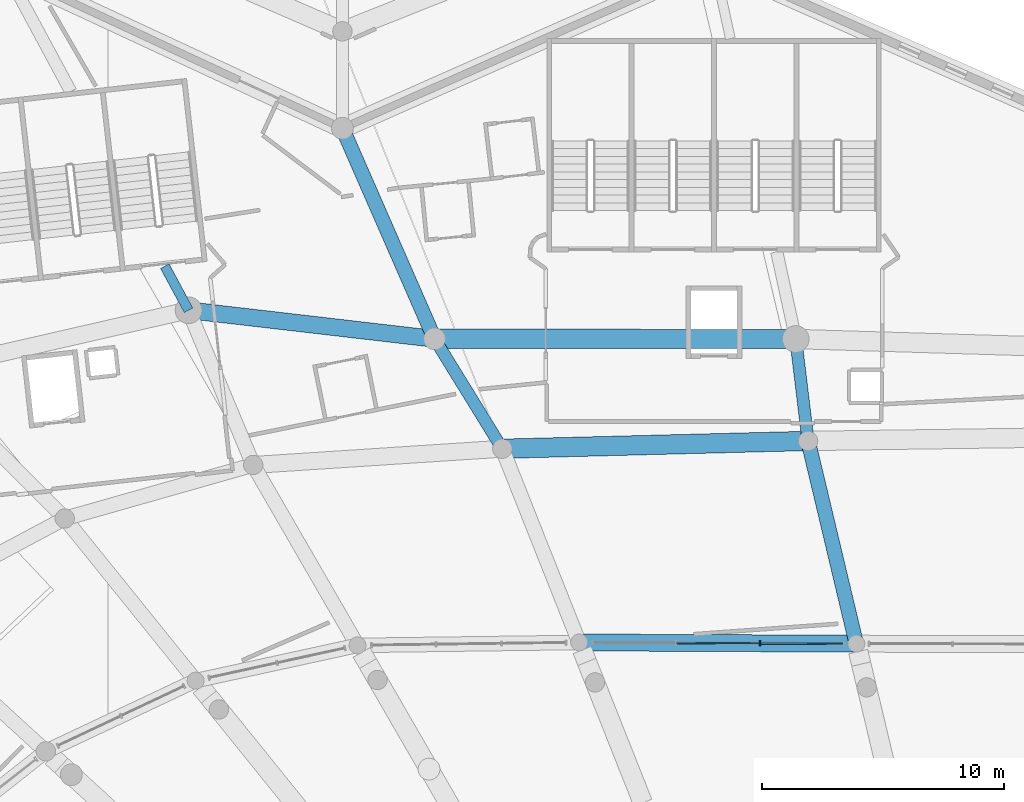
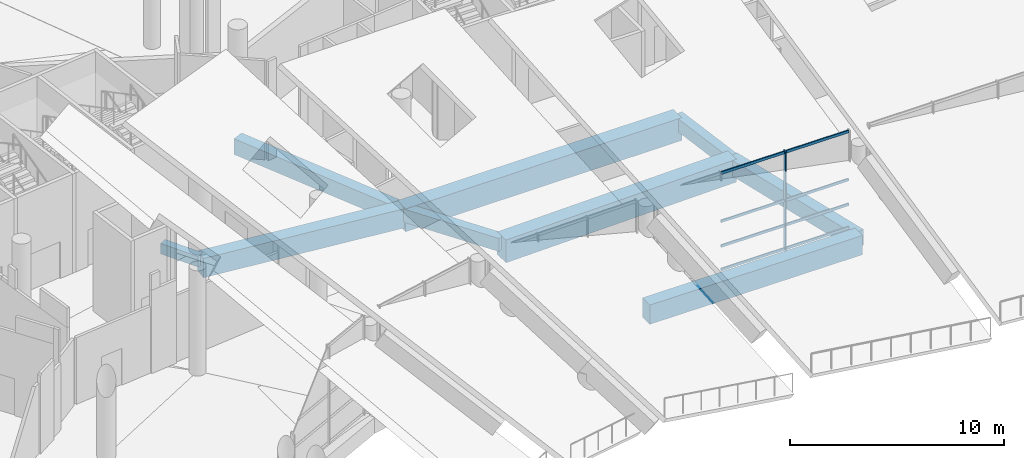
# One storey, part 68 of 249: 9 beams, 9 members, 1 element without a shape of its own.
"""IFC4 building model written with IfcOpenShell, lengths in metres."""

from ifc_helpers import new_model, si_unit, direction, frame, origin, origin_2d, place, context, subcontext, project, spatial, rectangle, extrude, material, layer, layer_set, material_profile, profile_set, type_object, element, aggregate, save


model = new_model("IFC4")

# Units and contexts
model_context = context("Model", 3, precision=1e-05, world=origin(), true_north=direction((0.0, 1.0)))
body_context = subcontext(model_context, "Body", "Model", "MODEL_VIEW")
ifc_project = project(units=[si_unit("LENGTHUNIT", "METRE"), si_unit("AREAUNIT", "SQUARE_METRE"), si_unit("VOLUMEUNIT", "CUBIC_METRE"), si_unit("PLANEANGLEUNIT", "RADIAN"), si_unit("MASSUNIT", "GRAM", prefix="KILO")], contexts=[model_context])

# Site, building, storey
site_placement = place(None, origin())
site = spatial("IfcSite", under=ifc_project, at=site_placement, CompositionType="ELEMENT")
building_placement = place(site_placement, origin())
building = spatial("IfcBuilding", under=site, at=building_placement, Name="Meseta Stadium", CompositionType="ELEMENT")
storey_placement = place(building_placement, frame((0.0, 0.0, 12.0)))
storey = spatial("IfcBuildingStorey", under=building, at=storey_placement, Name="L02", CompositionType="ELEMENT", Elevation=12.0)

# Curtain wall, members
ifc_material_1 = material(Name="Aluminium", Category="aluminium")
ifc_layer = layer(ifc_material_1, 0.199951171875)
ifc_layer_set = layer_set([ifc_layer], Name="Suite glazing curtain wall")
curtain_wall_type = type_object("IfcCurtainWallType", Name="Suite glazing curtain wall", PredefinedType="NOTDEFINED", material=ifc_layer_set)
curtain_wall_placement = place(storey_placement, origin())
curtain_wall = element("IfcCurtainWall", 1, at=curtain_wall_placement, inside=storey, type_object=curtain_wall_type, Name="Suite glazing bay 20", PredefinedType="NOTDEFINED")
ifc_material_2 = material(Name="Aluminium", Category="aluminium")
ifc_material_profile_1 = material_profile(ifc_material_2, rectangle(XDim=0.199951171875, YDim=0.06005859375, at=origin_2d()), Name="CW 200x60")
ifc_profile_set_1 = profile_set([ifc_material_profile_1], Name="Aluminium")
member_type_1 = type_object("IfcMemberType", Name="CW mullion 60x200", PredefinedType="MULLION", material=ifc_profile_set_1)
member_1_placement = place(storey_placement, frame((-21.095947265625, 77.349853515625, 0.0), z_axis=(0.0, 0.0, 1.0), x_axis=(-0.004468565348, -0.999990015912, 0.0)))
member_1 = element("IfcMember", 2, at=member_1_placement, type_object=member_type_1, Name="CWS mullion 2", PredefinedType="MULLION", context=body_context, shape_type="SweptSolid", body=[
    extrude(rectangle(XDim=0.199951171875, YDim=0.06005859375, at=origin_2d()), origin(), (0.0, 0.0, 1.0), 5.64990234375),
])
ifc_material_3 = material(Name="Aluminium", Category="aluminium")
ifc_material_profile_2 = material_profile(ifc_material_3, rectangle(XDim=0.06005859375, YDim=0.14990234375, at=origin_2d()), Name="CW 60x150")
ifc_profile_set_2 = profile_set([ifc_material_profile_2], Name="Aluminium")
member_type_2 = type_object("IfcMemberType", Name="CW transom 60x150", PredefinedType="USERDEFINED", material=ifc_profile_set_2)
member_2_placement = place(storey_placement, frame((-17.679443359375, 77.33447265625, 0.074951171875), z_axis=(-0.999990010786, 0.004469712398, 0.0), x_axis=(-0.004469712398, -0.999990010786, 0.0)))
member_2 = element("IfcMember", 3, at=member_2_placement, type_object=member_type_2, Name="CWS transom 1.1", ObjectType="TRANSOM", PredefinedType="USERDEFINED", context=body_context, shape_type="SweptSolid", body=[
    extrude(rectangle(XDim=0.06005859375, YDim=0.14990234375, at=origin_2d()), origin(), (0.0, 0.0, 1.0), 3.386474609375),
])
member_3_placement = place(storey_placement, frame((-17.679443359375, 77.33447265625, 1.41259765625), z_axis=(-0.999990010786, 0.004469712398, 0.0), x_axis=(-0.004469712398, -0.999990010786, 0.0)))
member_3 = element("IfcMember", 4, at=member_3_placement, type_object=member_type_2, Name="CWS transom 1.2", ObjectType="TRANSOM", PredefinedType="USERDEFINED", context=body_context, shape_type="SweptSolid", body=[
    extrude(rectangle(XDim=0.06005859375, YDim=0.14990234375, at=origin_2d()), origin(), (0.0, 0.0, 1.0), 3.386474609375),
])
member_4_placement = place(storey_placement, frame((-17.679443359375, 77.33447265625, 2.824951171875), z_axis=(-0.999990010786, 0.004469712398, 0.0), x_axis=(-0.004469712398, -0.999990010786, 0.0)))
member_4 = element("IfcMember", 5, at=member_4_placement, type_object=member_type_2, Name="CWS transom 1.3", ObjectType="TRANSOM", PredefinedType="USERDEFINED", context=body_context, shape_type="SweptSolid", body=[
    extrude(rectangle(XDim=0.06005859375, YDim=0.14990234375, at=origin_2d()), origin(), (0.0, 0.0, 1.0), 3.386474609375),
])
member_5_placement = place(storey_placement, frame((-17.679443359375, 77.33447265625, 5.574951171875), z_axis=(-0.999990010786, 0.004469712398, 0.0), x_axis=(-0.004469712398, -0.999990010786, 0.0)))
member_5 = element("IfcMember", 6, at=member_5_placement, type_object=member_type_2, Name="CWS transom 1.4", ObjectType="TRANSOM", PredefinedType="USERDEFINED", context=body_context, shape_type="SweptSolid", body=[
    extrude(rectangle(XDim=0.06005859375, YDim=0.14990234375, at=origin_2d()), origin(), (0.0, 0.0, 1.0), 3.386474609375),
])
member_6_placement = place(storey_placement, frame((-21.1259765625, 77.349853515625, 0.074951171875), z_axis=(-0.999989865021, 0.004502205495, 0.0), x_axis=(-0.004502205495, -0.999989865021, 0.0)))
member_6 = element("IfcMember", 7, at=member_6_placement, type_object=member_type_2, Name="CWS transom 2.1", ObjectType="TRANSOM", PredefinedType="USERDEFINED", context=body_context, shape_type="SweptSolid", body=[
    extrude(rectangle(XDim=0.06005859375, YDim=0.14990234375, at=origin_2d()), origin(), (0.0, 0.0, 1.0), 3.416259765625),
])
member_7_placement = place(storey_placement, frame((-21.1259765625, 77.349853515625, 1.41259765625), z_axis=(-0.999989865021, 0.004502205495, 0.0), x_axis=(-0.004502205495, -0.999989865021, 0.0)))
member_7 = element("IfcMember", 8, at=member_7_placement, type_object=member_type_2, Name="CWS transom 2.2", ObjectType="TRANSOM", PredefinedType="USERDEFINED", context=body_context, shape_type="SweptSolid", body=[
    extrude(rectangle(XDim=0.06005859375, YDim=0.14990234375, at=origin_2d()), origin(), (0.0, 0.0, 1.0), 3.416259765625),
])
member_8_placement = place(storey_placement, frame((-21.1259765625, 77.349853515625, 2.824951171875), z_axis=(-0.999989865021, 0.004502205495, 0.0), x_axis=(-0.004502205495, -0.999989865021, 0.0)))
member_8 = element("IfcMember", 9, at=member_8_placement, type_object=member_type_2, Name="CWS transom 2.3", ObjectType="TRANSOM", PredefinedType="USERDEFINED", context=body_context, shape_type="SweptSolid", body=[
    extrude(rectangle(XDim=0.06005859375, YDim=0.14990234375, at=origin_2d()), origin(), (0.0, 0.0, 1.0), 3.416259765625),
])
member_9_placement = place(storey_placement, frame((-21.1259765625, 77.349853515625, 5.574951171875), z_axis=(-0.999989865021, 0.004502205495, 0.0), x_axis=(-0.004502205495, -0.999989865021, 0.0)))
member_9 = element("IfcMember", 10, at=member_9_placement, type_object=member_type_2, Name="CWS transom 2.4", ObjectType="TRANSOM", PredefinedType="USERDEFINED", context=body_context, shape_type="SweptSolid", body=[
    extrude(rectangle(XDim=0.06005859375, YDim=0.14990234375, at=origin_2d()), origin(), (0.0, 0.0, 1.0), 3.416259765625),
])
aggregate(curtain_wall, [member_1, member_2, member_3, member_4, member_5, member_6, member_7, member_8, member_9])

# Beams
ifc_material_4 = material(Name="Concrete C40/50", Category="concrete")
ifc_material_profile_3 = material_profile(ifc_material_4, rectangle(XDim=0.39990234375, YDim=0.60009765625, at=origin_2d()), Name="RC 400x600")
ifc_profile_set_3 = profile_set([ifc_material_profile_3], Name="Concrete C40/50")
beam_type_1 = type_object("IfcBeamType", Name="RC beam 400x600", PredefinedType="BEAM", material=ifc_profile_set_3)
beam_1_placement = place(storey_placement, frame((-44.6826171875, 91.0908203125, -0.64990234375), z_axis=(-0.474170370951, 0.880433108937, 0.0), x_axis=(-0.880433108937, -0.474170370951, 0.0)))
element("IfcBeam", 11, at=beam_1_placement, inside=storey, type_object=beam_type_1, Name="L02 radial beam frame 22 line P to R", PredefinedType="BEAM", context=body_context, shape_type="SweptSolid", body=[
    extrude(rectangle(XDim=0.39990234375, YDim=0.60009765625, at=origin_2d()), origin(), (0.0, 0.0, 1.0), 2.063720703125),
])
ifc_material_5 = material(Name="Concrete C40/50", Category="concrete")
ifc_material_profile_4 = material_profile(ifc_material_5, rectangle(XDim=0.5, YDim=0.75, at=origin_2d()), Name="RC 500x750")
ifc_profile_set_4 = profile_set([ifc_material_profile_4], Name="Concrete C40/50")
beam_type_2 = type_object("IfcBeamType", Name="RC beam 500x750", PredefinedType="BEAM", material=ifc_profile_set_4)
beam_2_placement = place(storey_placement, frame((-19.11865234375, 85.6982421875, -0.72509765625), z_axis=(-0.120104176055, 0.992761294015, 0.0), x_axis=(-0.992761294015, -0.120104176055, 0.0)))
element("IfcBeam", 12, at=beam_2_placement, inside=storey, type_object=beam_type_2, Name="L02 radial beam frame 20 line E to P", PredefinedType="BEAM", context=body_context, shape_type="SweptSolid", body=[
    extrude(rectangle(XDim=0.5, YDim=0.75, at=origin_2d()), origin(), (0.0, 0.0, 1.0), 4.236328125),
])
beam_3_placement = place(storey_placement, frame((-31.73681640625, 85.376708984375, -0.72509765625), z_axis=(-0.52451674702, 0.85140013043, 0.0), x_axis=(-0.85140013043, -0.52451674702, 0.0)))
element("IfcBeam", 13, at=beam_3_placement, inside=storey, type_object=beam_type_2, Name="L02 radial beam frame 21 line E to P", PredefinedType="BEAM", context=body_context, shape_type="SweptSolid", body=[
    extrude(rectangle(XDim=0.5, YDim=0.75, at=origin_2d()), origin(), (0.0, 0.0, 1.0), 5.32666015625),
])
ifc_material_6 = material(Name="Concrete C40/50", Category="concrete")
ifc_material_profile_5 = material_profile(ifc_material_6, rectangle(XDim=0.60009765625, YDim=0.89990234375, at=origin_2d()), Name="RC 600x900")
ifc_profile_set_5 = profile_set([ifc_material_profile_5], Name="Concrete C40/50")
beam_type_3 = type_object("IfcBeamType", Name="RC beam 600x900", PredefinedType="BEAM", material=ifc_profile_set_5)
beam_4_placement = place(storey_placement, frame((-17.126708984375, 77.33203125, -0.800048828125), z_axis=(-0.23161924801, 0.972806519279, 0.0), x_axis=(-0.972806519279, -0.23161924801, 0.0)))
element("IfcBeam", 14, at=beam_4_placement, inside=storey, type_object=beam_type_3, Name="L02 radial beam frame 20 line D to E", PredefinedType="BEAM", context=body_context, shape_type="SweptSolid", body=[
    extrude(rectangle(XDim=0.60009765625, YDim=0.89990234375, at=origin_2d()), origin(), (0.0, 0.0, 1.0), 8.60009765625),
])
beam_5_placement = place(storey_placement, frame((-34.53076171875, 89.911865234375, -0.800048828125), z_axis=(-0.4009417199, 0.91610356251, 0.0), x_axis=(-0.91610356251, -0.4009417199, 0.0)))
element("IfcBeam", 15, at=beam_5_placement, inside=storey, type_object=beam_type_3, Name="L02 radial beam frame 21 line P to R", PredefinedType="BEAM", context=body_context, shape_type="SweptSolid", body=[
    extrude(rectangle(XDim=0.60009765625, YDim=0.89990234375, at=origin_2d()), origin(), (0.0, 0.0, 1.0), 9.48388671875),
])
ifc_material_7 = material(Name="Concrete C40/50", Category="concrete")
ifc_material_profile_6 = material_profile(ifc_material_7, rectangle(XDim=0.699951171875, YDim=1.10009765625, at=origin_2d()), Name="RC 700x1100")
ifc_profile_set_6 = profile_set([ifc_material_profile_6], Name="Concrete C40/50")
beam_type_4 = type_object("IfcBeamType", Name="RC beam 700x1100", PredefinedType="BEAM", material=ifc_profile_set_6)
beam_6_placement = place(storey_placement, frame((-17.126708984375, 77.33203125, -0.89990234375), z_axis=(-0.999989954239, 0.004482345579, 0.0), x_axis=(-0.004482345579, -0.999989954239, 0.0)))
element("IfcBeam", 16, at=beam_6_placement, inside=storey, type_object=beam_type_4, Name="L02 ring beam frame 20 line D", PredefinedType="BEAM", context=body_context, shape_type="SweptSolid", body=[
    extrude(rectangle(XDim=0.699951171875, YDim=1.10009765625, at=origin_2d()), origin(), (0.0, 0.0, 1.0), 11.43798828125),
])
beam_7_placement = place(storey_placement, frame((-34.53076171875, 89.911865234375, -0.89990234375), z_axis=(-0.993324132456, 0.115356698466, 0.0), x_axis=(-0.115356698466, -0.993324132456, 0.0)))
element("IfcBeam", 17, at=beam_7_placement, inside=storey, type_object=beam_type_4, Name="L02 ring beam frame 21 line P", PredefinedType="BEAM", context=body_context, shape_type="SweptSolid", body=[
    extrude(rectangle(XDim=0.699951171875, YDim=1.10009765625, at=origin_2d()), origin(), (0.0, 0.0, 1.0), 10.219970703125),
])
ifc_material_8 = material(Name="Concrete C40/50", Category="concrete")
ifc_material_profile_7 = material_profile(ifc_material_8, rectangle(XDim=0.800048828125, YDim=1.300048828125, at=origin_2d()), Name="RC 800x1300")
ifc_profile_set_7 = profile_set([ifc_material_profile_7], Name="Concrete C40/50")
beam_type_5 = type_object("IfcBeamType", Name="RC beam 800x1300", PredefinedType="BEAM", material=ifc_profile_set_7)
beam_8_placement = place(storey_placement, frame((-19.11865234375, 85.6982421875, -1.0), z_axis=(-0.999675497622, -0.02547350496, 0.0), x_axis=(0.02547350496, -0.999675497622, 0.0)))
element("IfcBeam", 18, at=beam_8_placement, inside=storey, type_object=beam_type_5, Name="L02 ring beam frame 20 line E", PredefinedType="BEAM", context=body_context, shape_type="SweptSolid", body=[
    extrude(rectangle(XDim=0.800048828125, YDim=1.300048828125, at=origin_2d()), origin(), (0.0, 0.0, 1.0), 12.622314453125),
])
beam_9_placement = place(storey_placement, frame((-19.62744140625, 89.90380859375, -1.0), z_axis=(-0.999999853879, 0.000540593591, 0.0), x_axis=(-0.000540593591, -0.999999853879, 0.0)))
element("IfcBeam", 19, at=beam_9_placement, inside=storey, type_object=beam_type_5, Name="L02 ring beam frame 20 line P", PredefinedType="BEAM", context=body_context, shape_type="SweptSolid", body=[
    extrude(rectangle(XDim=0.800048828125, YDim=1.300048828125, at=origin_2d()), origin(), (0.0, 0.0, 1.0), 14.9033203125),
])

save(model, "model.ifc")
